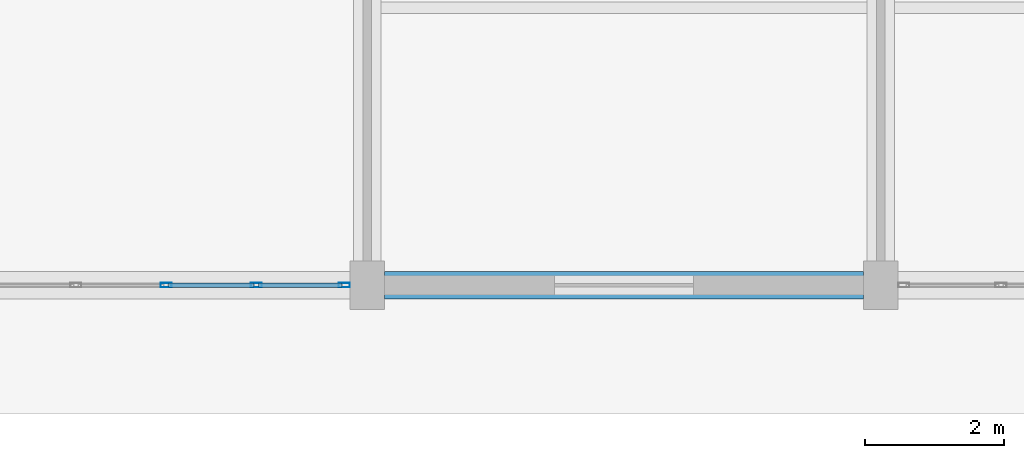
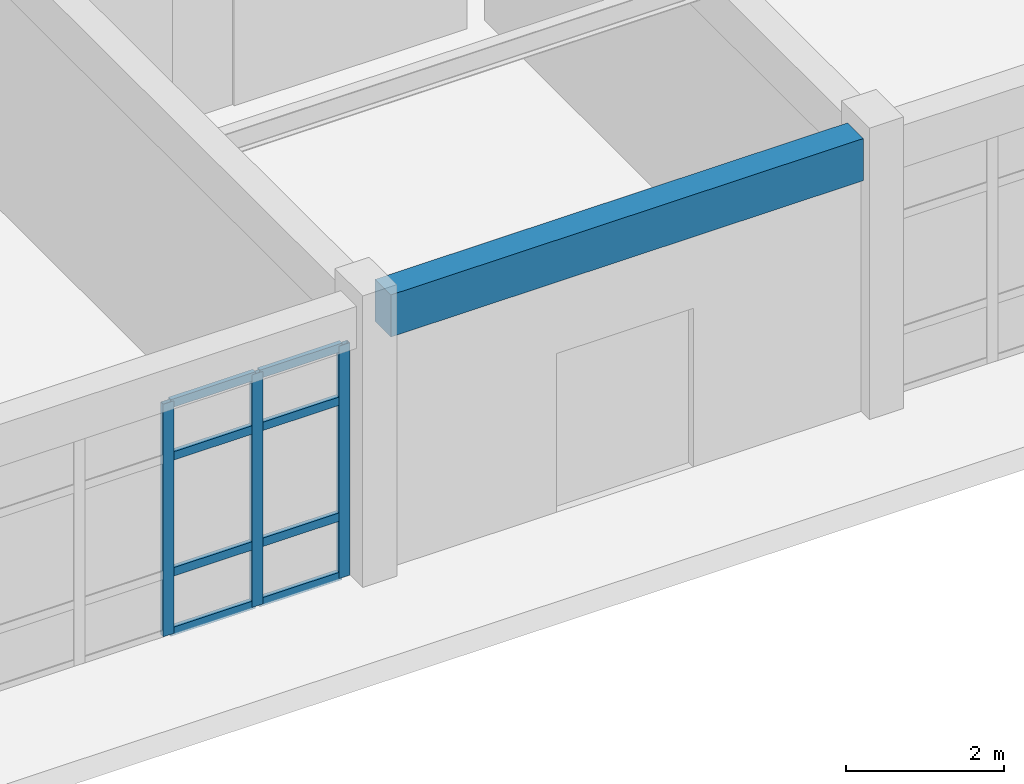
# One storey, part 29 of 154: 11 members, 1 beam, 1 element without a shape of its own.
"""IFC4 building model written with IfcOpenShell, lengths in metres."""

from ifc_helpers import new_model, si_unit, direction, frame, origin, origin_2d, place, context, subcontext, project, spatial, rectangle, hollow_rectangle, extrude, material, material_profile, profile_set, type_object, element, aggregate, save


model = new_model("IFC4")

# Units and contexts
model_context = context("Model", 3, precision=1e-05, world=origin(), true_north=direction((0.0, 1.0)))
body_context = subcontext(model_context, "Body", "Model", "MODEL_VIEW")
ifc_project = project(units=[si_unit("LENGTHUNIT", "METRE"), si_unit("AREAUNIT", "SQUARE_METRE"), si_unit("VOLUMEUNIT", "CUBIC_METRE"), si_unit("PLANEANGLEUNIT", "RADIAN"), si_unit("MASSUNIT", "GRAM", prefix="KILO")], contexts=[model_context])

# Site, building, storey
site_placement = place(None, origin())
site = spatial("IfcSite", under=ifc_project, at=site_placement, CompositionType="ELEMENT")
building_placement = place(site_placement, origin())
building = spatial("IfcBuilding", under=site, at=building_placement, Name="Kestramere Prow Commons", CompositionType="ELEMENT")
storey_placement = place(building_placement, origin())
storey = spatial("IfcBuildingStorey", under=building, at=storey_placement, Name="L00", CompositionType="ELEMENT", Elevation=0.0)

# Beam
ifc_material_1 = material(Name="Precast concrete C40/50", Category="concrete")
ifc_material_profile_1 = material_profile(ifc_material_1, rectangle(XDim=0.39990234375, YDim=0.64990234375, at=origin_2d()), Name="PC-BM 400x650")
ifc_profile_set_1 = profile_set([ifc_material_profile_1], Name="Precast concrete C40/50")
beam_type = type_object("IfcBeamType", Name="BM-MK-01 PC-BM 400x650 (EX)", PredefinedType="BEAM", material=ifc_profile_set_1)
beam_placement = place(storey_placement, frame((68.64990234375, 0.0, 3.925048828125), z_axis=(1.0, 0.0, 0.0), x_axis=(0.0, 1.0, 0.0)))
element("IfcBeam", 1, at=beam_placement, inside=storey, type_object=beam_type, Name="Market Spine L00 Beam X 1-2", PredefinedType="BEAM", context=body_context, shape_type="SweptSolid", body=[
    extrude(rectangle(XDim=0.39990234375, YDim=0.64990234375, at=origin_2d()), origin(), (0.0, 0.0, 1.0), 6.900146484375),
])

# Curtain wall, members
ifc_material_2 = material(Name="Anodised Aluminium and Low-E Glass", Category="aluminium")
curtain_wall_type = type_object("IfcCurtainWallType", Name="CW-19 Glazed Curtain Wall 7800x3590", PredefinedType="USERDEFINED", material=ifc_material_2)
curtain_wall_placement = place(storey_placement, origin())
curtain_wall = element("IfcCurtainWall", 2, at=curtain_wall_placement, inside=storey, type_object=curtain_wall_type, Name="Market L00 South Shopfront 1", ObjectType="GLAZED CURTAIN WALL", PredefinedType="USERDEFINED")
ifc_material_3 = material(Name="Anodised Aluminium 6063-T6", Category="aluminium")
ifc_material_profile_2 = material_profile(ifc_material_3, hollow_rectangle(XDim=0.06494140625, YDim=0.159912109375, WallThickness=0.00390625, at=origin_2d()), Name="ALU-MUL 65x160")
ifc_profile_set_2 = profile_set([ifc_material_profile_2], Name="Anodised Aluminium 6063-T6")
member_type_1 = type_object("IfcMemberType", Name="CW-MUL-65x160", PredefinedType="MULLION", material=ifc_profile_set_2)
member_1_placement = place(storey_placement, frame((68.0673828125, 0.0, 0.0), z_axis=(0.0, 0.0, 1.0), x_axis=(0.0, -1.0, 0.0)))
member_1 = element("IfcMember", 3, at=member_1_placement, type_object=member_type_1, Name="CW-19 mullion 1", PredefinedType="MULLION", context=body_context, shape_type="SweptSolid", body=[
    extrude(hollow_rectangle(XDim=0.06494140625, YDim=0.159912109375, WallThickness=0.00390625, at=origin_2d()), origin(), (0.0, 0.0, 1.0), 3.590087890625),
])
member_2_placement = place(storey_placement, frame((66.800048828125, 0.0, 0.0), z_axis=(0.0, 0.0, 1.0), x_axis=(0.0, -1.0, 0.0)))
member_2 = element("IfcMember", 4, at=member_2_placement, type_object=member_type_1, Name="CW-19 mullion 2", PredefinedType="MULLION", context=body_context, shape_type="SweptSolid", body=[
    extrude(hollow_rectangle(XDim=0.06494140625, YDim=0.159912109375, WallThickness=0.00390625, at=origin_2d()), origin(), (0.0, 0.0, 1.0), 3.590087890625),
])
member_3_placement = place(storey_placement, frame((65.5, 0.0, 0.0), z_axis=(0.0, 0.0, 1.0), x_axis=(0.0, -1.0, 0.0)))
member_3 = element("IfcMember", 5, at=member_3_placement, type_object=member_type_1, Name="CW-19 mullion 3", PredefinedType="MULLION", context=body_context, shape_type="SweptSolid", body=[
    extrude(hollow_rectangle(XDim=0.06494140625, YDim=0.159912109375, WallThickness=0.00390625, at=origin_2d()), origin(), (0.0, 0.0, 1.0), 3.590087890625),
])
ifc_material_profile_3 = material_profile(ifc_material_3, hollow_rectangle(XDim=0.06494140625, YDim=0.1298828125, WallThickness=0.00390625, at=origin_2d()), Name="ALU-TRN 65x130")
ifc_profile_set_3 = profile_set([ifc_material_profile_3], Name="Anodised Aluminium 6063-T6")
member_type_2 = type_object("IfcMemberType", Name="CW-TRN-65x130", PredefinedType="USERDEFINED", material=ifc_profile_set_3)
member_4_placement = place(storey_placement, frame((68.034912109375, 0.0, 0.032470703125), z_axis=(-1.0, 0.0, 0.0), x_axis=(0.0, -1.0, 0.0)))
member_4 = element("IfcMember", 6, at=member_4_placement, type_object=member_type_2, Name="CW-19 transom 1.1", ObjectType="TRANSOM", PredefinedType="USERDEFINED", context=body_context, shape_type="SweptSolid", body=[
    extrude(hollow_rectangle(XDim=0.06494140625, YDim=0.1298828125, WallThickness=0.00390625, at=origin_2d()), origin(), (0.0, 0.0, 1.0), 1.202392578125),
])
member_5_placement = place(storey_placement, frame((68.034912109375, 0.0, 0.949951171875), z_axis=(-1.0, 0.0, 0.0), x_axis=(0.0, -1.0, 0.0)))
member_5 = element("IfcMember", 7, at=member_5_placement, type_object=member_type_2, Name="CW-19 transom 1.2", ObjectType="TRANSOM", PredefinedType="USERDEFINED", context=body_context, shape_type="SweptSolid", body=[
    extrude(hollow_rectangle(XDim=0.06494140625, YDim=0.1298828125, WallThickness=0.00390625, at=origin_2d()), origin(), (0.0, 0.0, 1.0), 1.202392578125),
])
member_6_placement = place(storey_placement, frame((68.034912109375, 0.0, 2.739990234375), z_axis=(-1.0, 0.0, 0.0), x_axis=(0.0, -1.0, 0.0)))
member_6 = element("IfcMember", 8, at=member_6_placement, type_object=member_type_2, Name="CW-19 transom 1.3", ObjectType="TRANSOM", PredefinedType="USERDEFINED", context=body_context, shape_type="SweptSolid", body=[
    extrude(hollow_rectangle(XDim=0.06494140625, YDim=0.1298828125, WallThickness=0.00390625, at=origin_2d()), origin(), (0.0, 0.0, 1.0), 1.202392578125),
])
member_7_placement = place(storey_placement, frame((68.034912109375, 0.0, 3.5576171875), z_axis=(-1.0, 0.0, 0.0), x_axis=(0.0, -1.0, 0.0)))
member_7 = element("IfcMember", 9, at=member_7_placement, type_object=member_type_2, Name="CW-19 transom 1.4", ObjectType="TRANSOM", PredefinedType="USERDEFINED", context=body_context, shape_type="SweptSolid", body=[
    extrude(hollow_rectangle(XDim=0.06494140625, YDim=0.1298828125, WallThickness=0.00390625, at=origin_2d()), origin(), (0.0, 0.0, 1.0), 1.202392578125),
])
member_8_placement = place(storey_placement, frame((66.767578125, 0.0, 0.032470703125), z_axis=(-1.0, 0.0, 0.0), x_axis=(0.0, -1.0, 0.0)))
member_8 = element("IfcMember", 10, at=member_8_placement, type_object=member_type_2, Name="CW-19 transom 2.1", ObjectType="TRANSOM", PredefinedType="USERDEFINED", context=body_context, shape_type="SweptSolid", body=[
    extrude(hollow_rectangle(XDim=0.06494140625, YDim=0.1298828125, WallThickness=0.00390625, at=origin_2d()), origin(), (0.0, 0.0, 1.0), 1.235107421875),
])
member_9_placement = place(storey_placement, frame((66.767578125, 0.0, 0.949951171875), z_axis=(-1.0, 0.0, 0.0), x_axis=(0.0, -1.0, 0.0)))
member_9 = element("IfcMember", 11, at=member_9_placement, type_object=member_type_2, Name="CW-19 transom 2.2", ObjectType="TRANSOM", PredefinedType="USERDEFINED", context=body_context, shape_type="SweptSolid", body=[
    extrude(hollow_rectangle(XDim=0.06494140625, YDim=0.1298828125, WallThickness=0.00390625, at=origin_2d()), origin(), (0.0, 0.0, 1.0), 1.235107421875),
])
member_10_placement = place(storey_placement, frame((66.767578125, 0.0, 2.739990234375), z_axis=(-1.0, 0.0, 0.0), x_axis=(0.0, -1.0, 0.0)))
member_10 = element("IfcMember", 12, at=member_10_placement, type_object=member_type_2, Name="CW-19 transom 2.3", ObjectType="TRANSOM", PredefinedType="USERDEFINED", context=body_context, shape_type="SweptSolid", body=[
    extrude(hollow_rectangle(XDim=0.06494140625, YDim=0.1298828125, WallThickness=0.00390625, at=origin_2d()), origin(), (0.0, 0.0, 1.0), 1.235107421875),
])
member_11_placement = place(storey_placement, frame((66.767578125, 0.0, 3.5576171875), z_axis=(-1.0, 0.0, 0.0), x_axis=(0.0, -1.0, 0.0)))
member_11 = element("IfcMember", 13, at=member_11_placement, type_object=member_type_2, Name="CW-19 transom 2.4", ObjectType="TRANSOM", PredefinedType="USERDEFINED", context=body_context, shape_type="SweptSolid", body=[
    extrude(hollow_rectangle(XDim=0.06494140625, YDim=0.1298828125, WallThickness=0.00390625, at=origin_2d()), origin(), (0.0, 0.0, 1.0), 1.235107421875),
])
aggregate(curtain_wall, [member_1, member_2, member_3, member_4, member_5, member_6, member_7, member_8, member_9, member_10, member_11])

save(model, "model.ifc")
